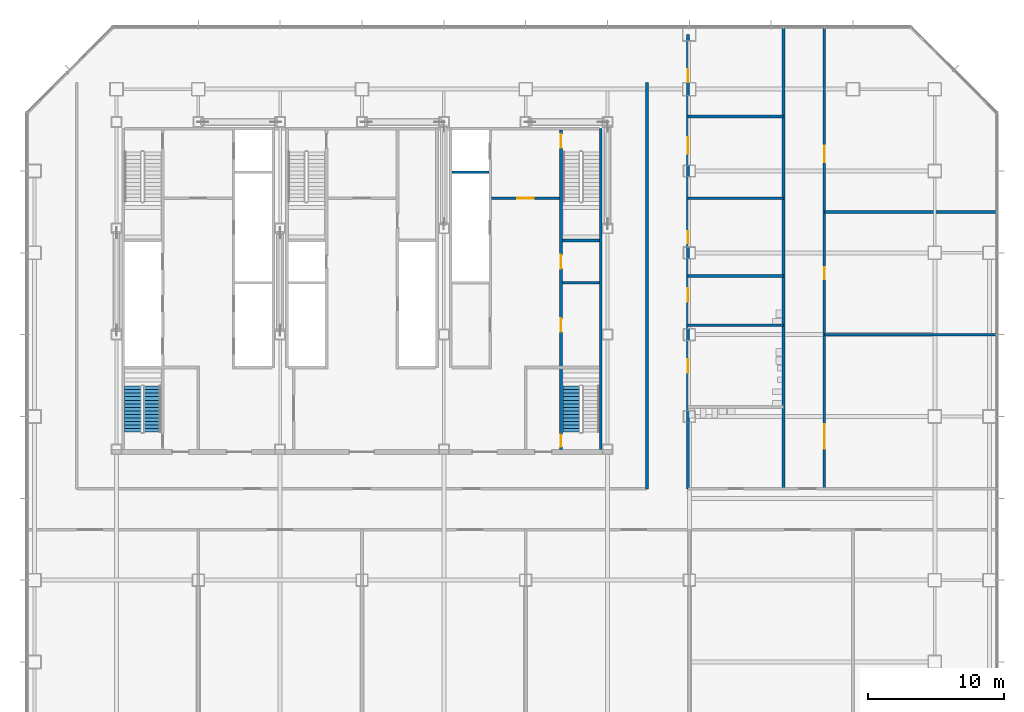
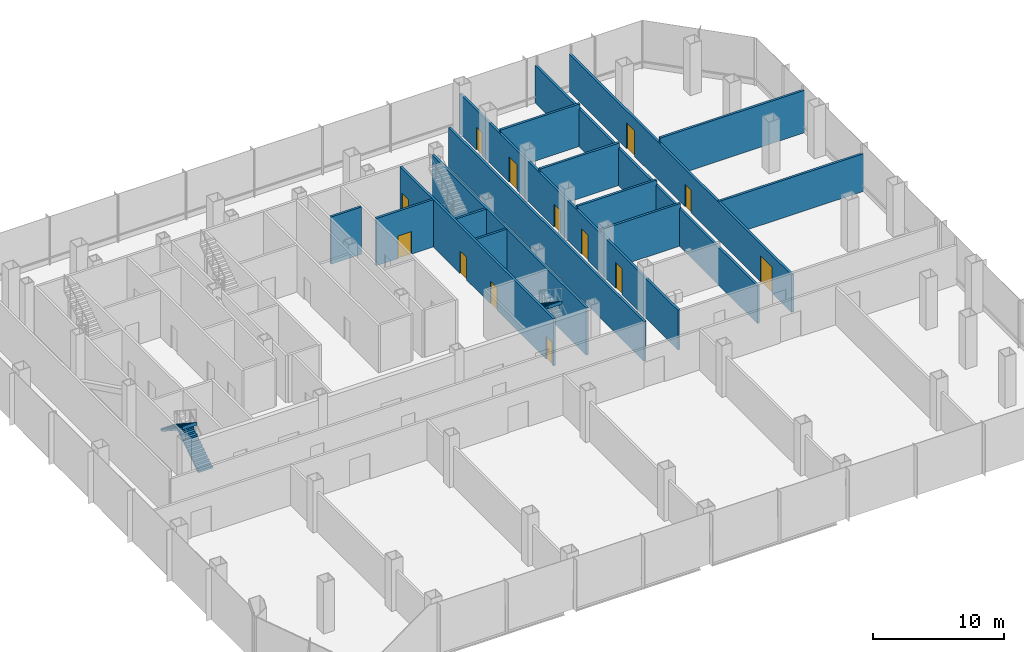
# One storey, part 25 of 33: 16 walls, 13 doors, 3 stair flights, 13 openings, 2 elements without a shape of their own.
"""IFC4 building model written with IfcOpenShell, lengths in metres."""

from ifc_helpers import new_model, si_unit, direction, frame, frame_2d, origin, place, context, subcontext, project, spatial, polyline, rectangle, outline, extrude, material, layer, layer_set, type_object, element, fill, aggregate, save


model = new_model("IFC4")

# Units and contexts
model_context = context("Model", 3, precision=1e-05, world=origin(), true_north=direction((0.0, 1.0)))
body_context = subcontext(model_context, "Body", "Model", "MODEL_VIEW")
ifc_project = project(units=[si_unit("LENGTHUNIT", "METRE"), si_unit("AREAUNIT", "SQUARE_METRE"), si_unit("VOLUMEUNIT", "CUBIC_METRE"), si_unit("PLANEANGLEUNIT", "RADIAN"), si_unit("MASSUNIT", "GRAM", prefix="KILO")], contexts=[model_context])

# Site, building, storey
site_placement = place(None, origin())
site = spatial("IfcSite", under=ifc_project, at=site_placement, CompositionType="ELEMENT")
building_placement = place(site_placement, origin())
building = spatial("IfcBuilding", under=site, at=building_placement, Name="Sorahane Residences", CompositionType="ELEMENT")
storey_placement = place(building_placement, frame((0.0, 0.0, 25.199951171875)))
storey = spatial("IfcBuildingStorey", under=building, at=storey_placement, Name="L03", CompositionType="ELEMENT", Elevation=25.199951171875)

# Walls
ifc_material_1 = material(Name="Concrete C30", Category="concrete")
ifc_layer_1 = layer(ifc_material_1, 0.199951171875)
ifc_layer_set_1 = layer_set([ifc_layer_1], Name="Core face wall 200 EI 180")
wall_type_1 = type_object("IfcWallType", Name="Core face wall 200 EI 180", PredefinedType="SOLIDWALL", material=ifc_layer_set_1)
wall_1_placement = place(storey_placement, frame((41.5, 21.60009765625, 0.0), z_axis=(0.0, 0.0, 1.0), x_axis=(0.0, 1.0, 0.0)))
element("IfcWall", 1, at=wall_1_placement, inside=storey, type_object=wall_type_1, Name="L03 core face wall", PredefinedType="SOLIDWALL", context=body_context, shape_type="SweptSolid", body=[
    extrude(rectangle(XDim=23.5, YDim=0.199951171875, at=frame_2d((11.75, 0.0))), origin(), (0.0, 0.0, 1.0), 4.400146484375),
])
ifc_material_2 = material(Name="Concrete blockwork C20 wall", Category="masonry")
ifc_layer_2 = layer(ifc_material_2, 0.199951171875)
ifc_layer_set_2 = layer_set([ifc_layer_2], Name="Corridor wall 200 EI 120")
wall_type_2 = type_object("IfcWallType", Name="Corridor wall 200 EI 120", PredefinedType="SOLIDWALL", material=ifc_layer_set_2)
wall_2_placement = place(storey_placement, frame((44.89990234375, 18.699951171875, 0.0), z_axis=(0.0, 0.0, 1.0), x_axis=(0.0, 1.0, 0.0)))
element("IfcWall", 2, at=wall_2_placement, inside=storey, type_object=wall_type_2, Name="L03 corridor wall", PredefinedType="SOLIDWALL", context=body_context, shape_type="SweptSolid", body=[
    extrude(rectangle(XDim=29.800048828125, YDim=0.199951171875, at=frame_2d((14.89990234375, 0.0))), origin(), (0.0, 0.0, 1.0), 3.699951171875),
])

# Wall, openings, doors
wall_3_placement = place(storey_placement, frame((47.89990234375, 18.699951171875, 0.0), z_axis=(0.0, 0.0, 1.0), x_axis=(0.0, 1.0, 0.0)))
wall_3 = element("IfcWall", 3, at=wall_3_placement, inside=storey, type_object=wall_type_2, Name="L03 corridor wall", PredefinedType="SOLIDWALL", context=body_context, shape_type="SweptSolid", body=[
    extrude(rectangle(XDim=33.300048828125, YDim=0.199951171875, at=frame_2d((16.64990234375, 0.0))), origin(), (0.0, 0.0, 1.0), 3.699951171875),
])
opening_1_placement = place(wall_3_placement, frame((8.5, 0.0, 0.0)))
opening_1 = element("IfcOpeningElement", 4, at=opening_1_placement, cuts=wall_3, Name="Opening L03-08", PredefinedType="OPENING", context=body_context, shape_type="SweptSolid", body=[
    extrude(rectangle(XDim=1.0, YDim=2.39990234375, at=frame_2d((0.5, 1.199951171875))), frame((0.0, 0.10986328125, 0.0), z_axis=(0.0, -1.0, 0.0), x_axis=(1.0, 0.0, 0.0)), (0.0, 0.0, 1.0), 0.219970703125),
])
opening_2_placement = place(wall_3_placement, frame((13.719970703125, 0.0, 0.0)))
opening_2 = element("IfcOpeningElement", 5, at=opening_2_placement, cuts=wall_3, Name="Opening L03-09", PredefinedType="OPENING", context=body_context, shape_type="SweptSolid", body=[
    extrude(rectangle(XDim=1.0, YDim=2.39990234375, at=frame_2d((0.5, 1.199951171875))), frame((0.0, 0.10986328125, 0.0), z_axis=(0.0, -1.0, 0.0), x_axis=(1.0, 0.0, 0.0)), (0.0, 0.0, 1.0), 0.219970703125),
])
opening_3_placement = place(wall_3_placement, frame((18.0, 0.0, 0.0)))
opening_3 = element("IfcOpeningElement", 6, at=opening_3_placement, cuts=wall_3, Name="Opening L03-10", PredefinedType="OPENING", context=body_context, shape_type="SweptSolid", body=[
    extrude(rectangle(XDim=0.89990234375, YDim=2.10009765625, at=frame_2d((0.449951171875, 1.050048828125))), frame((0.0, 0.10986328125, 0.0), z_axis=(0.0, -1.0, 0.0), x_axis=(1.0, 0.0, 0.0)), (0.0, 0.0, 1.0), 0.219970703125),
])
opening_4_placement = place(wall_3_placement, frame((24.56005859375, 0.0, 0.0)))
opening_4 = element("IfcOpeningElement", 7, at=opening_4_placement, cuts=wall_3, Name="Opening L03-11", PredefinedType="OPENING", context=body_context, shape_type="SweptSolid", body=[
    extrude(rectangle(XDim=1.199951171875, YDim=2.39990234375, at=frame_2d((0.60009765625, 1.199951171875))), frame((0.0, 0.10986328125, 0.0), z_axis=(0.0, -1.0, 0.0), x_axis=(1.0, 0.0, 0.0)), (0.0, 0.0, 1.0), 0.219970703125),
])
opening_5_placement = place(wall_3_placement, frame((29.85009765625, 0.0, 0.0)))
opening_5 = element("IfcOpeningElement", 8, at=opening_5_placement, cuts=wall_3, Name="Opening L03-12", PredefinedType="OPENING", context=body_context, shape_type="SweptSolid", body=[
    extrude(rectangle(XDim=0.89990234375, YDim=2.10009765625, at=frame_2d((0.449951171875, 1.050048828125))), frame((0.0, 0.10986328125, 0.0), z_axis=(0.0, -1.0, 0.0), x_axis=(1.0, 0.0, 0.0)), (0.0, 0.0, 1.0), 0.219970703125),
])
ifc_material_3 = material(Name="Steel", Category="steel")
door_type_1 = type_object("IfcDoorType", Name="Plant door 1200x2400 FD60", OperationType="NOTDEFINED", PredefinedType="DOOR", material=ifc_material_3)
door_1_placement = place(opening_4_placement, frame((1.199951171875, 0.0, 0.0), z_axis=(0.0, 0.0, 1.0), x_axis=(-1.0, 0.0, 0.0)))
door_1 = element("IfcDoor", 9, at=door_1_placement, inside=storey, type_object=door_type_1, Name="Plant door L03-11", OperationType="SINGLE_SWING_LEFT", OverallHeight=2.39990234375, OverallWidth=1.199951171875, PredefinedType="DOOR", context=body_context, shape_type="SweptSolid", body=[
    extrude(rectangle(XDim=1.199951171875, YDim=2.39990234375, at=frame_2d((0.60009765625, 1.199951171875))), frame((0.0, 0.02490234375, 0.0), z_axis=(0.0, -1.0, 0.0), x_axis=(1.0, 0.0, 0.0)), (0.0, 0.0, 1.0), 0.050048828125),
])
fill(opening_4, door_1)
ifc_material_4 = material(Name="Timber veneered fire door", Category="wood")
door_type_2 = type_object("IfcDoorType", Name="Room door 1000x2400 FD30", OperationType="NOTDEFINED", PredefinedType="DOOR", material=ifc_material_4)
door_2_placement = place(opening_1_placement, frame((1.0, 0.0, 0.0), z_axis=(0.0, 0.0, 1.0), x_axis=(-1.0, 0.0, 0.0)))
door_2 = element("IfcDoor", 10, at=door_2_placement, inside=storey, type_object=door_type_2, Name="Room door L03-08", OperationType="SINGLE_SWING_LEFT", OverallHeight=2.39990234375, OverallWidth=1.0, PredefinedType="DOOR", context=body_context, shape_type="SweptSolid", body=[
    extrude(rectangle(XDim=1.0, YDim=2.39990234375, at=frame_2d((0.5, 1.199951171875))), frame((0.0, 0.02490234375, 0.0), z_axis=(0.0, -1.0, 0.0), x_axis=(1.0, 0.0, 0.0)), (0.0, 0.0, 1.0), 0.050048828125),
])
fill(opening_1, door_2)
door_3_placement = place(opening_2_placement, frame((1.0, 0.0, 0.0), z_axis=(0.0, 0.0, 1.0), x_axis=(-1.0, 0.0, 0.0)))
door_3 = element("IfcDoor", 11, at=door_3_placement, inside=storey, type_object=door_type_2, Name="Room door L03-09", OperationType="SINGLE_SWING_LEFT", OverallHeight=2.39990234375, OverallWidth=1.0, PredefinedType="DOOR", context=body_context, shape_type="SweptSolid", body=[
    extrude(rectangle(XDim=1.0, YDim=2.39990234375, at=frame_2d((0.5, 1.199951171875))), frame((0.0, 0.02490234375, 0.0), z_axis=(0.0, -1.0, 0.0), x_axis=(1.0, 0.0, 0.0)), (0.0, 0.0, 1.0), 0.050048828125),
])
fill(opening_2, door_3)
ifc_material_5 = material(Name="Timber veneered fire door", Category="wood")
door_type_3 = type_object("IfcDoorType", Name="Service door 900x2100 FD30", OperationType="NOTDEFINED", PredefinedType="DOOR", material=ifc_material_5)
door_4_placement = place(opening_3_placement, frame((0.89990234375, 0.0, 0.0), z_axis=(0.0, 0.0, 1.0), x_axis=(-1.0, 0.0, 0.0)))
door_4 = element("IfcDoor", 12, at=door_4_placement, inside=storey, type_object=door_type_3, Name="Service door L03-10", OperationType="SINGLE_SWING_RIGHT", OverallHeight=2.10009765625, OverallWidth=0.89990234375, PredefinedType="DOOR", context=body_context, shape_type="SweptSolid", body=[
    extrude(rectangle(XDim=0.89990234375, YDim=2.10009765625, at=frame_2d((0.449951171875, 1.050048828125))), frame((0.0, 0.02490234375, 0.0), z_axis=(0.0, -1.0, 0.0), x_axis=(1.0, 0.0, 0.0)), (0.0, 0.0, 1.0), 0.050048828125),
])
fill(opening_3, door_4)
door_5_placement = place(opening_5_placement, frame((0.89990234375, 0.0, 0.0), z_axis=(0.0, 0.0, 1.0), x_axis=(-1.0, 0.0, 0.0)))
door_5 = element("IfcDoor", 13, at=door_5_placement, inside=storey, type_object=door_type_3, Name="Service door L03-12", OperationType="SINGLE_SWING_LEFT", OverallHeight=2.10009765625, OverallWidth=0.89990234375, PredefinedType="DOOR", context=body_context, shape_type="SweptSolid", body=[
    extrude(rectangle(XDim=0.89990234375, YDim=2.10009765625, at=frame_2d((0.449951171875, 1.050048828125))), frame((0.0, 0.02490234375, 0.0), z_axis=(0.0, -1.0, 0.0), x_axis=(1.0, 0.0, 0.0)), (0.0, 0.0, 1.0), 0.050048828125),
])
fill(opening_5, door_5)

# Wall
wall_4_placement = place(storey_placement, frame((54.89990234375, 18.699951171875, 0.0), z_axis=(0.0, 0.0, 1.0), x_axis=(0.0, 1.0, 0.0)))
element("IfcWall", 14, at=wall_4_placement, inside=storey, type_object=wall_type_2, Name="L03 corridor wall", PredefinedType="SOLIDWALL", context=body_context, shape_type="SweptSolid", body=[
    extrude(rectangle(XDim=33.900146484375, YDim=0.199951171875, at=frame_2d((16.9501953125, 0.0))), origin(), (0.0, 0.0, 1.0), 3.5),
])

# Wall, openings, doors
wall_5_placement = place(storey_placement, frame((57.89990234375, 18.699951171875, 0.0), z_axis=(0.0, 0.0, 1.0), x_axis=(0.0, 1.0, 0.0)))
wall_5 = element("IfcWall", 15, at=wall_5_placement, inside=storey, type_object=wall_type_2, Name="L03 corridor wall", PredefinedType="SOLIDWALL", context=body_context, shape_type="SweptSolid", body=[
    extrude(rectangle(XDim=33.900146484375, YDim=0.199951171875, at=frame_2d((16.9501953125, 0.0))), origin(), (0.0, 0.0, 1.0), 3.5),
])
opening_6_placement = place(wall_5_placement, frame((2.949951171875, 0.0, 0.0)))
opening_6 = element("IfcOpeningElement", 16, at=opening_6_placement, cuts=wall_5, Name="Opening L03-14", PredefinedType="OPENING", context=body_context, shape_type="SweptSolid", body=[
    extrude(rectangle(XDim=1.800048828125, YDim=2.39990234375, at=frame_2d((0.89990234375, 1.199951171875))), frame((0.0, 0.10986328125, 0.0), z_axis=(0.0, -1.0, 0.0), x_axis=(1.0, 0.0, 0.0)), (0.0, 0.0, 1.0), 0.219970703125),
])
opening_7_placement = place(wall_5_placement, frame((15.35009765625, 0.0, 0.0)))
opening_7 = element("IfcOpeningElement", 17, at=opening_7_placement, cuts=wall_5, Name="Opening L03-15", PredefinedType="OPENING", context=body_context, shape_type="SweptSolid", body=[
    extrude(rectangle(XDim=0.89990234375, YDim=2.10009765625, at=frame_2d((0.449951171875, 1.050048828125))), frame((0.0, 0.10986328125, 0.0), z_axis=(0.0, -1.0, 0.0), x_axis=(1.0, 0.0, 0.0)), (0.0, 0.0, 1.0), 0.219970703125),
])
opening_8_placement = place(wall_5_placement, frame((23.93994140625, 0.0, 0.0)))
opening_8 = element("IfcOpeningElement", 18, at=opening_8_placement, cuts=wall_5, Name="Opening L03-16", PredefinedType="OPENING", context=body_context, shape_type="SweptSolid", body=[
    extrude(rectangle(XDim=1.199951171875, YDim=2.39990234375, at=frame_2d((0.60009765625, 1.199951171875))), frame((0.0, 0.10986328125, 0.0), z_axis=(0.0, -1.0, 0.0), x_axis=(1.0, 0.0, 0.0)), (0.0, 0.0, 1.0), 0.219970703125),
])
ifc_material_6 = material(Name="Timber veneered fire door", Category="wood")
door_type_4 = type_object("IfcDoorType", Name="Double door 1800x2400 FD30", OperationType="NOTDEFINED", PredefinedType="DOOR", material=ifc_material_6)
door_6_placement = place(opening_6_placement, origin())
door_6 = element("IfcDoor", 19, at=door_6_placement, inside=storey, type_object=door_type_4, Name="Double door L03-14", OperationType="SINGLE_SWING_LEFT", OverallHeight=2.39990234375, OverallWidth=1.800048828125, PredefinedType="DOOR", context=body_context, shape_type="SweptSolid", body=[
    extrude(rectangle(XDim=1.800048828125, YDim=2.39990234375, at=frame_2d((0.89990234375, 1.199951171875))), frame((0.0, 0.02490234375, 0.0), z_axis=(0.0, -1.0, 0.0), x_axis=(1.0, 0.0, 0.0)), (0.0, 0.0, 1.0), 0.050048828125),
])
fill(opening_6, door_6)
door_7_placement = place(opening_8_placement, frame((1.199951171875, 0.0, 0.0), z_axis=(0.0, 0.0, 1.0), x_axis=(-1.0, 0.0, 0.0)))
door_7 = element("IfcDoor", 20, at=door_7_placement, inside=storey, type_object=door_type_1, Name="Plant door L03-16", OperationType="SINGLE_SWING_RIGHT", OverallHeight=2.39990234375, OverallWidth=1.199951171875, PredefinedType="DOOR", context=body_context, shape_type="SweptSolid", body=[
    extrude(rectangle(XDim=1.199951171875, YDim=2.39990234375, at=frame_2d((0.60009765625, 1.199951171875))), frame((0.0, 0.02490234375, 0.0), z_axis=(0.0, -1.0, 0.0), x_axis=(1.0, 0.0, 0.0)), (0.0, 0.0, 1.0), 0.050048828125),
])
fill(opening_8, door_7)
door_8_placement = place(opening_7_placement, frame((0.89990234375, 0.0, 0.0), z_axis=(0.0, 0.0, 1.0), x_axis=(-1.0, 0.0, 0.0)))
door_8 = element("IfcDoor", 21, at=door_8_placement, inside=storey, type_object=door_type_3, Name="Service door L03-15", OperationType="SINGLE_SWING_RIGHT", OverallHeight=2.10009765625, OverallWidth=0.89990234375, PredefinedType="DOOR", context=body_context, shape_type="SweptSolid", body=[
    extrude(rectangle(XDim=0.89990234375, YDim=2.10009765625, at=frame_2d((0.449951171875, 1.050048828125))), frame((0.0, 0.02490234375, 0.0), z_axis=(0.0, -1.0, 0.0), x_axis=(1.0, 0.0, 0.0)), (0.0, 0.0, 1.0), 0.050048828125),
])
fill(opening_7, door_8)

# Walls
wall_6_placement = place(storey_placement, frame((57.89990234375, 30.0, 0.0), z_axis=(0.0, 0.0, 1.0), x_axis=(1.0, 0.0, 0.0)))
element("IfcWall", 22, at=wall_6_placement, inside=storey, type_object=wall_type_2, Name="L03 corridor wall", PredefinedType="SOLIDWALL", context=body_context, shape_type="SweptSolid", body=[
    extrude(rectangle(XDim=12.7001953125, YDim=0.199951171875, at=frame_2d((6.35009765625, 0.0))), origin(), (0.0, 0.0, 1.0), 3.5),
])
for number, where, z_axis, x_axis, name in (
    (23, (47.89990234375, 30.699951171875, 0.0), (0.0, 0.0, 1.0), (1.0, 0.0, 0.0), "L03 corridor wall"),
    (24, (47.89990234375, 34.300048828125, 0.0), (0.0, 0.0, 1.0), (1.0, 0.0, 0.0), "L03 corridor wall"),
):
    element("IfcWall", number, at=place(storey_placement, frame(where, z_axis=z_axis, x_axis=x_axis)), inside=storey, type_object=wall_type_2, Name=name, PredefinedType="SOLIDWALL", context=body_context, shape_type="SweptSolid", body=[
        extrude(rectangle(XDim=7.0, YDim=0.199951171875, at=frame_2d((3.5, 0.0))), origin(), (0.0, 0.0, 1.0), 3.949951171875),
    ])
wall_7_placement = place(storey_placement, frame((57.89990234375, 39.0, 0.0), z_axis=(0.0, 0.0, 1.0), x_axis=(1.0, 0.0, 0.0)))
element("IfcWall", 25, at=wall_7_placement, inside=storey, type_object=wall_type_2, Name="L03 corridor wall", PredefinedType="SOLIDWALL", context=body_context, shape_type="SweptSolid", body=[
    extrude(rectangle(XDim=12.7001953125, YDim=0.199951171875, at=frame_2d((6.35009765625, 0.0))), origin(), (0.0, 0.0, 1.0), 3.949951171875),
])
for number, where, z_axis, x_axis, name in (
    (26, (47.89990234375, 40.0, 0.0), (0.0, 0.0, 1.0), (1.0, 0.0, 0.0), "L03 corridor wall"),
    (27, (47.89990234375, 46.0, 0.0), (0.0, 0.0, 1.0), (1.0, 0.0, 0.0), "L03 corridor wall"),
):
    element("IfcWall", number, at=place(storey_placement, frame(where, z_axis=z_axis, x_axis=x_axis)), inside=storey, type_object=wall_type_2, Name=name, PredefinedType="SOLIDWALL", context=body_context, shape_type="SweptSolid", body=[
        extrude(rectangle(XDim=7.0, YDim=0.199951171875, at=frame_2d((3.5, 0.0))), origin(), (0.0, 0.0, 1.0), 3.949951171875),
    ])

# Wall, opening, door
ifc_material_7 = material(Name="Concrete C30", Category="concrete")
ifc_layer_3 = layer(ifc_material_7, 0.199951171875)
ifc_layer_set_3 = layer_set([ifc_layer_3], Name="Front room wall 200 EI 120")
wall_type_3 = type_object("IfcWallType", Name="Front room wall 200 EI 120", PredefinedType="PARTITIONING", material=ifc_layer_set_3)
wall_8_placement = place(storey_placement, frame((33.5, 40.0, 0.0), z_axis=(0.0, 0.0, 1.0), x_axis=(1.0, 0.0, 0.0)))
wall_8 = element("IfcWall", 28, at=wall_8_placement, inside=storey, type_object=wall_type_3, Name="L03 front room wall", PredefinedType="PARTITIONING", context=body_context, shape_type="SweptSolid", body=[
    extrude(rectangle(XDim=5.0, YDim=0.199951171875, at=frame_2d((2.5, 0.0))), origin(), (0.0, 0.0, 1.0), 4.400146484375),
])
opening_9_placement = place(wall_8_placement, frame((1.89990234375, 0.0, 0.0)))
opening_9 = element("IfcOpeningElement", 29, at=opening_9_placement, cuts=wall_8, Name="Opening L03-C09", PredefinedType="OPENING", context=body_context, shape_type="SweptSolid", body=[
    extrude(rectangle(XDim=1.199951171875, YDim=2.10009765625, at=frame_2d((0.60009765625, 1.050048828125))), frame((0.0, 0.10986328125, 0.0), z_axis=(0.0, -1.0, 0.0), x_axis=(1.0, 0.0, 0.0)), (0.0, 0.0, 1.0), 0.219970703125),
])
ifc_material_8 = material(Name="Steel", Category="steel")
door_type_5 = type_object("IfcDoorType", Name="Front room door 1200x2100 FD120", OperationType="NOTDEFINED", PredefinedType="DOOR", material=ifc_material_8)
door_9_placement = place(opening_9_placement, frame((1.199951171875, 0.0, 0.0), z_axis=(0.0, 0.0, 1.0), x_axis=(-1.0, 0.0, 0.0)))
door_9 = element("IfcDoor", 30, at=door_9_placement, inside=storey, type_object=door_type_5, Name="Front room door Firefighting lobby FF2 front room L03", OperationType="DOUBLE_DOOR_SINGLE_SWING", OverallHeight=2.10009765625, OverallWidth=1.199951171875, PredefinedType="DOOR", context=body_context, shape_type="SweptSolid", body=[
    extrude(rectangle(XDim=1.199951171875, YDim=2.10009765625, at=frame_2d((0.60009765625, 1.050048828125))), frame((0.0, 0.02490234375, 0.0), z_axis=(0.0, -1.0, 0.0), x_axis=(1.0, 0.0, 0.0)), (0.0, 0.0, 1.0), 0.050048828125),
])
fill(opening_9, door_9)

# Walls
ifc_material_9 = material(Name="Concrete C30", Category="concrete")
ifc_layer_4 = layer(ifc_material_9, 0.199951171875)
ifc_layer_set_4 = layer_set([ifc_layer_4], Name="Lift shaft wall 200 EI 120")
wall_type_4 = type_object("IfcWallType", Name="Lift shaft wall 200 EI 120", PredefinedType="SOLIDWALL", material=ifc_layer_set_4)
wall_9_placement = place(storey_placement, frame((30.60009765625, 41.89990234375, 0.0), z_axis=(0.0, 0.0, 1.0), x_axis=(1.0, 0.0, 0.0)))
element("IfcWall", 31, at=wall_9_placement, inside=storey, type_object=wall_type_4, Name="L03 lift shaft wall", PredefinedType="SOLIDWALL", context=body_context, shape_type="SweptSolid", body=[
    extrude(rectangle(XDim=2.699951171875, YDim=0.199951171875, at=frame_2d((1.35009765625, 0.0))), origin(), (0.0, 0.0, 1.0), 4.400146484375),
])
ifc_material_10 = material(Name="Concrete C30", Category="concrete")
ifc_layer_5 = layer(ifc_material_10, 0.199951171875)
ifc_layer_set_5 = layer_set([ifc_layer_5], Name="Service room partition 200 EI 60")
wall_type_5 = type_object("IfcWallType", Name="Service room partition 200 EI 60", PredefinedType="PARTITIONING", material=ifc_layer_set_5)
wall_10_placement = place(storey_placement, frame((38.699951171875, 33.800048828125, 0.0), z_axis=(0.0, 0.0, 1.0), x_axis=(1.0, 0.0, 0.0)))
element("IfcWall", 32, at=wall_10_placement, inside=storey, type_object=wall_type_5, Name="L03 service room wall", PredefinedType="PARTITIONING", context=body_context, shape_type="SweptSolid", body=[
    extrude(rectangle(XDim=2.699951171875, YDim=0.199951171875, at=frame_2d((1.35009765625, 0.0))), origin(), (0.0, 0.0, 1.0), 4.400146484375),
])

# Wall, openings, doors
ifc_material_11 = material(Name="Concrete C30", Category="concrete")
ifc_layer_6 = layer(ifc_material_11, 0.199951171875)
ifc_layer_set_6 = layer_set([ifc_layer_6], Name="Stair enclosure wall 200 EI 120")
wall_type_6 = type_object("IfcWallType", Name="Stair enclosure wall 200 EI 120", PredefinedType="SOLIDWALL", material=ifc_layer_set_6)
wall_11_placement = place(storey_placement, frame((38.60009765625, 21.60009765625, 0.0), z_axis=(0.0, 0.0, 1.0), x_axis=(0.0, 1.0, 0.0)))
wall_11 = element("IfcWall", 33, at=wall_11_placement, inside=storey, type_object=wall_type_6, Name="L03 stair enclosure wall", PredefinedType="SOLIDWALL", context=body_context, shape_type="SweptSolid", body=[
    extrude(rectangle(XDim=23.39990234375, YDim=0.199951171875, at=frame_2d((11.699951171875, 0.0))), origin(), (0.0, 0.0, 1.0), 4.400146484375),
])
opening_10_placement = place(wall_11_placement, frame((8.60009765625, 0.0, 0.0)))
opening_10 = element("IfcOpeningElement", 34, at=opening_10_placement, cuts=wall_11, Name="Opening L03-C17", PredefinedType="OPENING", context=body_context, shape_type="SweptSolid", body=[
    extrude(rectangle(XDim=1.0, YDim=2.10009765625, at=frame_2d((0.5, 1.050048828125))), frame((0.0, 0.10986328125, 0.0), z_axis=(0.0, -1.0, 0.0), x_axis=(1.0, 0.0, 0.0)), (0.0, 0.0, 1.0), 0.219970703125),
])
opening_11_placement = place(wall_11_placement, frame((13.25, 0.0, 0.0)))
opening_11 = element("IfcOpeningElement", 35, at=opening_11_placement, cuts=wall_11, Name="Opening L03-C18", PredefinedType="OPENING", context=body_context, shape_type="SweptSolid", body=[
    extrude(rectangle(XDim=1.0, YDim=2.10009765625, at=frame_2d((0.5, 1.050048828125))), frame((0.0, 0.10986328125, 0.0), z_axis=(0.0, -1.0, 0.0), x_axis=(1.0, 0.0, 0.0)), (0.0, 0.0, 1.0), 0.219970703125),
])
opening_12_placement = place(wall_11_placement, frame((22.10009765625, 0.0, 0.0)))
opening_12 = element("IfcOpeningElement", 36, at=opening_12_placement, cuts=wall_11, Name="Opening L03-C21", PredefinedType="OPENING", context=body_context, shape_type="SweptSolid", body=[
    extrude(rectangle(XDim=1.0, YDim=2.10009765625, at=frame_2d((0.5, 1.050048828125))), frame((0.0, 0.10986328125, 0.0), z_axis=(0.0, -1.0, 0.0), x_axis=(1.0, 0.0, 0.0)), (0.0, 0.0, 1.0), 0.219970703125),
])
opening_13_placement = place(wall_11_placement, frame((0.175048828125, 0.0, 0.0)))
opening_13 = element("IfcOpeningElement", 37, at=opening_13_placement, cuts=wall_11, Name="Opening L03-C24", PredefinedType="OPENING", context=body_context, shape_type="SweptSolid", body=[
    extrude(rectangle(XDim=0.89990234375, YDim=2.10009765625, at=frame_2d((0.449951171875, 1.050048828125))), frame((0.0, 0.10986328125, 0.0), z_axis=(0.0, -1.0, 0.0), x_axis=(1.0, 0.0, 0.0)), (0.0, 0.0, 1.0), 0.219970703125),
])
ifc_material_12 = material(Name="Steel", Category="steel")
door_type_6 = type_object("IfcDoorType", Name="Service room door 1000x2100 FD60", OperationType="NOTDEFINED", PredefinedType="DOOR", material=ifc_material_12)
door_10_placement = place(opening_10_placement, frame((1.0, 0.0, 0.0), z_axis=(0.0, 0.0, 1.0), x_axis=(-1.0, 0.0, 0.0)))
door_10 = element("IfcDoor", 38, at=door_10_placement, inside=storey, type_object=door_type_6, Name="Service room door Lounge L03", OperationType="SINGLE_SWING_RIGHT", OverallHeight=2.10009765625, OverallWidth=1.0, PredefinedType="DOOR", context=body_context, shape_type="SweptSolid", body=[
    extrude(rectangle(XDim=1.0, YDim=2.10009765625, at=frame_2d((0.5, 1.050048828125))), frame((0.0, 0.02490234375, 0.0), z_axis=(0.0, -1.0, 0.0), x_axis=(1.0, 0.0, 0.0)), (0.0, 0.0, 1.0), 0.050048828125),
])
fill(opening_10, door_10)
door_11_placement = place(opening_11_placement, frame((1.0, 0.0, 0.0), z_axis=(0.0, 0.0, 1.0), x_axis=(-1.0, 0.0, 0.0)))
door_11 = element("IfcDoor", 39, at=door_11_placement, inside=storey, type_object=door_type_6, Name="Service room door Lounge L03", OperationType="SINGLE_SWING_LEFT", OverallHeight=2.10009765625, OverallWidth=1.0, PredefinedType="DOOR", context=body_context, shape_type="SweptSolid", body=[
    extrude(rectangle(XDim=1.0, YDim=2.10009765625, at=frame_2d((0.5, 1.050048828125))), frame((0.0, 0.02490234375, 0.0), z_axis=(0.0, -1.0, 0.0), x_axis=(1.0, 0.0, 0.0)), (0.0, 0.0, 1.0), 0.050048828125),
])
fill(opening_11, door_11)
ifc_material_13 = material(Name="Steel", Category="steel")
door_type_7 = type_object("IfcDoorType", Name="Stair door 1000x2100 FD120", OperationType="NOTDEFINED", PredefinedType="DOOR", material=ifc_material_13)
door_12_placement = place(opening_12_placement, frame((1.0, 0.0, 0.0), z_axis=(0.0, 0.0, 1.0), x_axis=(-1.0, 0.0, 0.0)))
door_12 = element("IfcDoor", 40, at=door_12_placement, inside=storey, type_object=door_type_7, Name="Stair door S2 L03", OperationType="SINGLE_SWING_LEFT", OverallHeight=2.10009765625, OverallWidth=1.0, PredefinedType="DOOR", context=body_context, shape_type="SweptSolid", body=[
    extrude(rectangle(XDim=1.0, YDim=2.10009765625, at=frame_2d((0.5, 1.050048828125))), frame((0.0, 0.02490234375, 0.0), z_axis=(0.0, -1.0, 0.0), x_axis=(1.0, 0.0, 0.0)), (0.0, 0.0, 1.0), 0.050048828125),
])
fill(opening_12, door_12)
ifc_material_14 = material(Name="Steel", Category="steel")
door_type_8 = type_object("IfcDoorType", Name="Stair door 900x2100 FD120", OperationType="NOTDEFINED", PredefinedType="DOOR", material=ifc_material_14)
door_13_placement = place(opening_13_placement, frame((0.89990234375, 0.0, 0.0), z_axis=(0.0, 0.0, 1.0), x_axis=(-1.0, 0.0, 0.0)))
door_13 = element("IfcDoor", 41, at=door_13_placement, inside=storey, type_object=door_type_8, Name="Stair door S5 L03", OperationType="SINGLE_SWING_LEFT", OverallHeight=2.10009765625, OverallWidth=0.89990234375, PredefinedType="DOOR", context=body_context, shape_type="SweptSolid", body=[
    extrude(rectangle(XDim=0.89990234375, YDim=2.10009765625, at=frame_2d((0.449951171875, 1.050048828125))), frame((0.0, 0.02490234375, 0.0), z_axis=(0.0, -1.0, 0.0), x_axis=(1.0, 0.0, 0.0)), (0.0, 0.0, 1.0), 0.050048828125),
])
fill(opening_13, door_13)

# Wall
wall_12_placement = place(storey_placement, frame((38.699951171875, 36.89990234375, 0.0), z_axis=(0.0, 0.0, 1.0), x_axis=(1.0, 0.0, 0.0)))
element("IfcWall", 42, at=wall_12_placement, inside=storey, type_object=wall_type_6, Name="L03 stair enclosure wall", PredefinedType="SOLIDWALL", context=body_context, shape_type="SweptSolid", body=[
    extrude(rectangle(XDim=2.699951171875, YDim=0.199951171875, at=frame_2d((1.35009765625, 0.0))), origin(), (0.0, 0.0, 1.0), 4.400146484375),
])

# Stair, stair flights
ifc_material_15 = material(Name="Concrete C40", Category="concrete")
stair_type = type_object("IfcStairType", Name="Dog-leg stair 1250 Concrete C40", PredefinedType="HALF_TURN_STAIR", material=ifc_material_15)
stair_1_placement = place(storey_placement, origin())
stair_1 = element("IfcStair", 43, at=stair_1_placement, inside=storey, type_object=stair_type, Name="L03 Stair S4", PredefinedType="HALF_TURN_STAIR")
ifc_material_16 = material(Name="Concrete C40", Category="concrete")
stair_flight_type = type_object("IfcStairFlightType", Name="Stair flight 1250 Concrete C40", PredefinedType="STRAIGHT", material=ifc_material_16)
stair_flight_1_placement = place(storey_placement, frame((8.625, 22.85009765625, 0.0), z_axis=(0.0, 0.0, 1.0), x_axis=(0.0, 1.0, 0.0)))
stair_flight_1 = element("IfcStairFlight", 44, at=stair_flight_1_placement, type_object=stair_flight_type, Name="S4 flight 1", NumberOfRisers=14, NumberOfTreads=13, PredefinedType="STRAIGHT", RiserHeight=0.171428571, TreadLength=0.26, context=body_context, shape_type="SweptSolid", body=[
    extrude(outline(polyline([(-0.00146484375, 0.0), (-0.00146484375, 0.17138671875), (0.0, 0.17138671875), (0.260009765625, 0.17138671875), (0.260009765625, 0.3427734375), (0.52001953125, 0.3427734375), (0.52001953125, 0.514404296875), (0.780029296875, 0.514404296875), (0.780029296875, 0.685791015625), (1.0400390625, 0.685791015625), (1.0400390625, 0.857177734375), (1.300048828125, 0.857177734375), (1.300048828125, 1.028564453125), (1.56005859375, 1.028564453125), (1.56005859375, 1.199951171875), (1.820068359375, 1.199951171875), (1.820068359375, 1.371337890625), (2.080078125, 1.371337890625), (2.080078125, 1.54296875), (2.340087890625, 1.54296875), (2.340087890625, 1.71435546875), (2.60009765625, 1.71435546875), (2.60009765625, 1.8857421875), (2.860107421875, 1.8857421875), (2.860107421875, 2.05712890625), (3.1201171875, 2.05712890625), (3.1201171875, 2.228515625), (3.3798828125, 2.228515625), (3.3798828125, 2.39990234375), (3.3798828125, 2.084716796875), (3.169189453125, 1.94580078125), (2.95849609375, 1.806640625), (2.74755859375, 1.667724609375), (2.536865234375, 1.52880859375), (2.326171875, 1.389892578125), (2.115234375, 1.250732421875), (1.904541015625, 1.11181640625), (1.693603515625, 0.972900390625), (1.48291015625, 0.833984375), (1.272216796875, 0.69482421875), (1.061279296875, 0.555908203125), (0.8505859375, 0.4169921875), (0.639892578125, 0.278076171875), (0.428955078125, 0.138916015625), (0.21826171875, 0.0), (-0.00146484375, 0.0)])), frame((0.0, 0.625, 0.0), z_axis=(0.0, -1.0, 0.0), x_axis=(1.0, 0.0, 0.0)), (0.0, 0.0, 1.0), 1.25),
])
stair_flight_2_placement = place(storey_placement, frame((7.22509765625, 26.22998046875, 2.400146484375), z_axis=(0.0, 0.0, 1.0), x_axis=(0.0, -1.0, 0.0)))
stair_flight_2 = element("IfcStairFlight", 45, at=stair_flight_2_placement, type_object=stair_flight_type, Name="S4 flight 2", NumberOfRisers=14, NumberOfTreads=13, PredefinedType="STRAIGHT", RiserHeight=0.171428571, TreadLength=0.26, context=body_context, shape_type="SweptSolid", body=[
    extrude(outline(polyline([(0.0, 0.0), (0.0, 0.17138671875), (0.260009765625, 0.17138671875), (0.260009765625, 0.3427734375), (0.52001953125, 0.3427734375), (0.52001953125, 0.514404296875), (0.780029296875, 0.514404296875), (0.780029296875, 0.685791015625), (1.0400390625, 0.685791015625), (1.0400390625, 0.857177734375), (1.300048828125, 0.857177734375), (1.300048828125, 1.028564453125), (1.56005859375, 1.028564453125), (1.56005859375, 1.199951171875), (1.820068359375, 1.199951171875), (1.820068359375, 1.371337890625), (2.080078125, 1.371337890625), (2.080078125, 1.54296875), (2.340087890625, 1.54296875), (2.340087890625, 1.71435546875), (2.60009765625, 1.71435546875), (2.60009765625, 1.8857421875), (2.860107421875, 1.8857421875), (2.860107421875, 2.05712890625), (3.1201171875, 2.05712890625), (3.1201171875, 2.228515625), (3.3798828125, 2.228515625), (3.3798828125, 2.39990234375), (3.381591796875, 2.39990234375), (3.381591796875, 2.084716796875), (3.170654296875, 1.94580078125), (2.959716796875, 1.806640625), (2.748779296875, 1.667724609375), (2.537841796875, 1.52880859375), (2.3271484375, 1.389892578125), (2.1162109375, 1.250732421875), (1.9052734375, 1.11181640625), (1.6943359375, 0.972900390625), (1.483642578125, 0.833984375), (1.272705078125, 0.69482421875), (1.061767578125, 0.555908203125), (0.850830078125, 0.4169921875), (0.639892578125, 0.278076171875), (0.42919921875, 0.138916015625), (0.21826171875, 0.0), (0.0, 0.0)])), frame((0.0, 0.625, 0.0), z_axis=(0.0, -1.0, 0.0), x_axis=(1.0, 0.0, 0.0)), (0.0, 0.0, 1.0), 1.25),
])
aggregate(stair_1, [stair_flight_1, stair_flight_2])

# Stair, stair flight
stair_2_placement = place(storey_placement, origin())
stair_2 = element("IfcStair", 46, at=stair_2_placement, inside=storey, type_object=stair_type, Name="L03 Stair S5", PredefinedType="HALF_TURN_STAIR")
stair_flight_3_placement = place(storey_placement, frame((39.375, 26.22998046875, 2.400146484375), z_axis=(0.0, 0.0, 1.0), x_axis=(0.0, -1.0, 0.0)))
stair_flight_3 = element("IfcStairFlight", 47, at=stair_flight_3_placement, type_object=stair_flight_type, Name="S5 flight 2", NumberOfRisers=14, NumberOfTreads=13, PredefinedType="STRAIGHT", RiserHeight=0.171428571, TreadLength=0.26, context=body_context, shape_type="SweptSolid", body=[
    extrude(outline(polyline([(0.0, 0.0), (0.0, 0.17138671875), (0.260009765625, 0.17138671875), (0.260009765625, 0.3427734375), (0.52001953125, 0.3427734375), (0.52001953125, 0.514404296875), (0.780029296875, 0.514404296875), (0.780029296875, 0.685791015625), (1.0400390625, 0.685791015625), (1.0400390625, 0.857177734375), (1.300048828125, 0.857177734375), (1.300048828125, 1.028564453125), (1.56005859375, 1.028564453125), (1.56005859375, 1.199951171875), (1.820068359375, 1.199951171875), (1.820068359375, 1.371337890625), (2.080078125, 1.371337890625), (2.080078125, 1.54296875), (2.340087890625, 1.54296875), (2.340087890625, 1.71435546875), (2.60009765625, 1.71435546875), (2.60009765625, 1.8857421875), (2.860107421875, 1.8857421875), (2.860107421875, 2.05712890625), (3.1201171875, 2.05712890625), (3.1201171875, 2.228515625), (3.3798828125, 2.228515625), (3.3798828125, 2.39990234375), (3.381591796875, 2.39990234375), (3.381591796875, 2.084716796875), (3.170654296875, 1.94580078125), (2.959716796875, 1.806640625), (2.748779296875, 1.667724609375), (2.537841796875, 1.52880859375), (2.3271484375, 1.389892578125), (2.1162109375, 1.250732421875), (1.9052734375, 1.11181640625), (1.6943359375, 0.972900390625), (1.483642578125, 0.833984375), (1.272705078125, 0.69482421875), (1.061767578125, 0.555908203125), (0.850830078125, 0.4169921875), (0.639892578125, 0.278076171875), (0.42919921875, 0.138916015625), (0.21826171875, 0.0), (0.0, 0.0)])), frame((0.0, 0.625, 0.0), z_axis=(0.0, -1.0, 0.0), x_axis=(1.0, 0.0, 0.0)), (0.0, 0.0, 1.0), 1.25),
])
aggregate(stair_2, [stair_flight_3])

save(model, "model.ifc")
